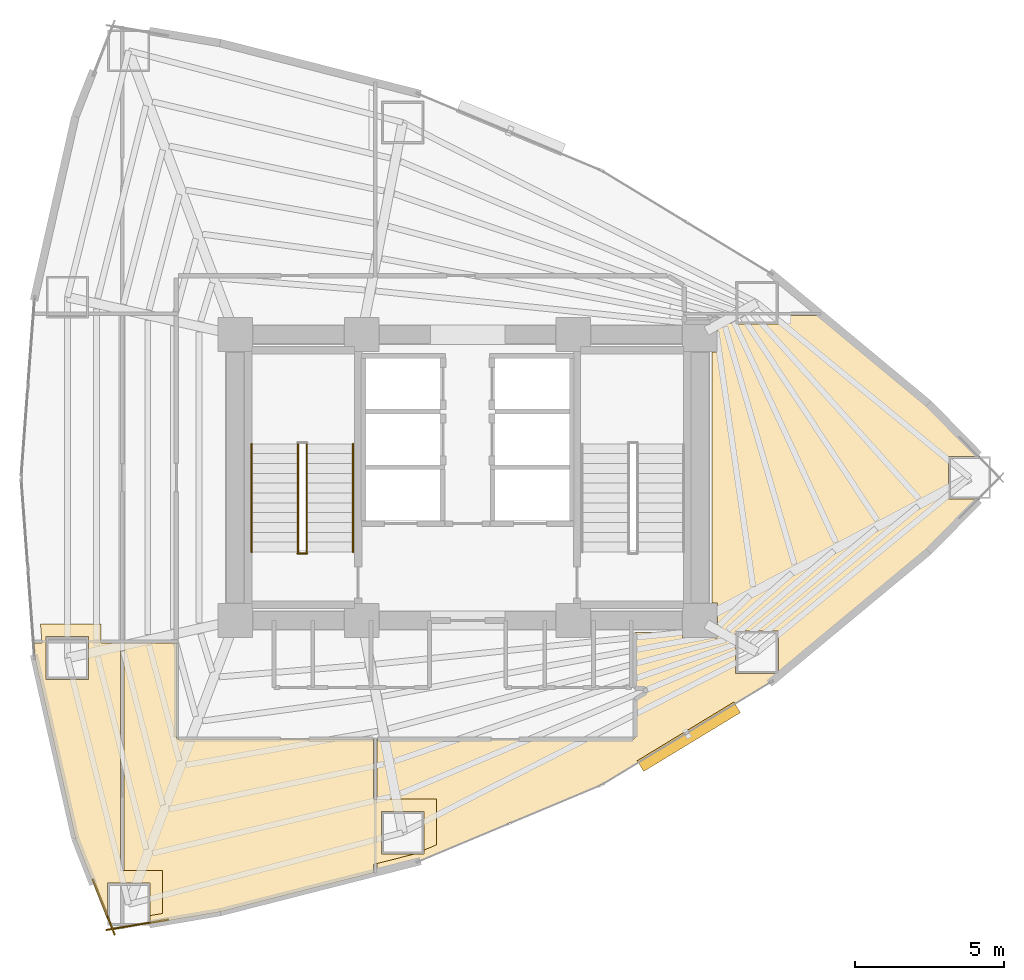
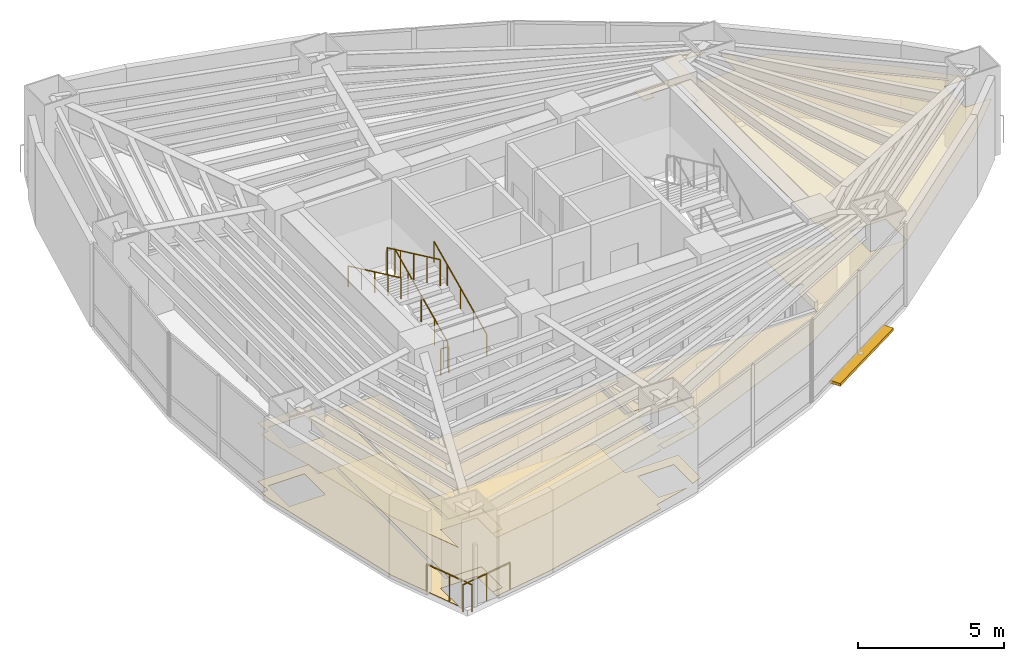
# One storey, part 16 of 17: 7 railings, 5 coverings, 1 shading device.
"""IFC4 building model written with IfcOpenShell, lengths in metres."""

from ifc_helpers import new_model, si_unit, direction, frame, origin, origin_2d, place, context, subcontext, project, spatial, polyline, rectangle, circle, outline, extrude, material, layer, layer_set, type_object, element, save


model = new_model("IFC4")

# Units and contexts
model_context = context("Model", 3, precision=1e-05, world=origin(), true_north=direction((0.0, 1.0)))
body_context = subcontext(model_context, "Body", "Model", "MODEL_VIEW")
ifc_project = project(units=[si_unit("LENGTHUNIT", "METRE"), si_unit("AREAUNIT", "SQUARE_METRE"), si_unit("VOLUMEUNIT", "CUBIC_METRE"), si_unit("PLANEANGLEUNIT", "RADIAN"), si_unit("MASSUNIT", "GRAM", prefix="KILO")], contexts=[model_context])

# Site, building, storey
site_placement = place(None, origin())
site = spatial("IfcSite", under=ifc_project, at=site_placement, CompositionType="ELEMENT")
building_placement = place(site_placement, origin())
building = spatial("IfcBuilding", under=site, at=building_placement, Name="Menara Vayukalpa", CompositionType="ELEMENT")
storey_placement = place(building_placement, frame((0.0, 0.0, 38.760009765625)))
storey = spatial("IfcBuildingStorey", under=building, at=storey_placement, Name="L08", CompositionType="ELEMENT", Elevation=38.760009765625)

# Coverings
ifc_material_1 = material(Name="Mineral Fibre Acoustic Ceiling Tile", Category="masonry")
ifc_layer_1 = layer(ifc_material_1, 0.02490234375)
ifc_layer_set_1 = layer_set([ifc_layer_1], Name="Mineral Fibre Acoustic Ceiling Tile")
covering_type_1 = type_object("IfcCoveringType", Name="COV-CLG1", PredefinedType="CEILING", material=ifc_layer_set_1)
covering_1_placement = place(storey_placement, frame((0.0, 0.0, 2.449951171875)))
element("IfcCovering", 1, at=covering_1_placement, inside=storey, type_object=covering_type_1, Name="L08 Executive Boardroom Acoustic Ceiling", PredefinedType="CEILING", context=body_context, shape_type="SweptSolid", body=[
    extrude(outline(polyline([(14.9326171875, 7.2900390625), (14.9326171875, 8.380615234375), (13.502685546875, 8.380615234375), (13.502685546875, 7.1708984375), (12.4375, 9.883056640625), (12.437255859375, 9.8837890625), (12.43701171875, 9.884521484375), (11.07421875, 15.941162109375), (11.073974609375, 15.942626953125), (11.03759765625, 16.42919921875), (11.03759765625, 16.43017578125), (11.03759765625, 16.43115234375), (11.03759765625, 16.43212890625), (11.0380859375, 16.43310546875), (11.038330078125, 16.43408203125), (11.038818359375, 16.434814453125), (11.039306640625, 16.435791015625), (11.039794921875, 16.436279296875), (11.04052734375, 16.43701171875), (11.041259765625, 16.437744140625), (11.0419921875, 16.4384765625), (11.042724609375, 16.43896484375), (11.043701171875, 16.439208984375), (11.044677734375, 16.439697265625), (11.045654296875, 16.439697265625), (11.04638671875, 16.43994140625), (11.047607421875, 16.43994140625), (11.3076171875, 16.43994140625), (11.260009765625, 17.075439453125), (13.29931640625, 17.075439453125), (13.29931640625, 16.43994140625), (13.929931640625, 16.43994140625), (13.930908203125, 16.43994140625), (13.931884765625, 16.439697265625), (13.932861328125, 16.439697265625), (13.933837890625, 16.439208984375), (13.934814453125, 16.438720703125), (13.935546875, 16.438232421875), (13.936279296875, 16.437744140625), (13.93701171875, 16.43701171875), (13.937744140625, 16.436279296875), (13.938232421875, 16.435546875), (13.938720703125, 16.434814453125), (13.939208984375, 16.433837890625), (13.939697265625, 16.432861328125), (13.939697265625, 16.431884765625), (13.93994140625, 16.430908203125), (13.93994140625, 16.429931640625), (13.93994140625, 8.800537109375), (15.3525390625, 8.800537109375), (15.3525390625, 7.361328125), (14.9326171875, 7.2900390625)]), holes=[polyline([(12.879150390625, 16.655517578125), (11.44921875, 16.655517578125), (11.44921875, 15.225341796875), (12.879150390625, 15.225341796875), (12.879150390625, 16.655517578125)])]), origin(), (0.0, 0.0, 1.0), 0.025146484375),
])
covering_2_placement = place(storey_placement, frame((0.0, 0.0, 2.449951171875)))
element("IfcCovering", 2, at=covering_2_placement, inside=storey, type_object=covering_type_1, Name="L08 Executive Boardroom Acoustic Ceiling", PredefinedType="CEILING", context=body_context, shape_type="SweptSolid", body=[
    extrude(outline(polyline([(13.152587890625, 8.800537109375), (14.06005859375, 8.800537109375), (14.06005859375, 16.429931640625), (14.06005859375, 16.430908203125), (14.060302734375, 16.431884765625), (14.060302734375, 16.432861328125), (14.060791015625, 16.433837890625), (14.061279296875, 16.434814453125), (14.061767578125, 16.435546875), (14.062255859375, 16.436279296875), (14.06298828125, 16.43701171875), (14.063720703125, 16.437744140625), (14.064453125, 16.438232421875), (14.065185546875, 16.438720703125), (14.066162109375, 16.439208984375), (14.067138671875, 16.439697265625), (14.068115234375, 16.439697265625), (14.069091796875, 16.43994140625), (14.070068359375, 16.43994140625), (15.820068359375, 16.43994140625), (15.821044921875, 16.43994140625), (15.822021484375, 16.439697265625), (15.822998046875, 16.439697265625), (15.82373046875, 16.439208984375), (15.82470703125, 16.438720703125), (15.82568359375, 16.438232421875), (15.826416015625, 16.437744140625), (15.8271484375, 16.43701171875), (15.82763671875, 16.436279296875), (15.828369140625, 16.435546875), (15.828857421875, 16.434814453125), (15.8291015625, 16.433837890625), (15.82958984375, 16.432861328125), (15.829833984375, 16.431884765625), (15.830078125, 16.430908203125), (15.830078125, 16.429931640625), (15.830078125, 13.290283203125), (15.830322265625, 13.283203125), (15.831298828125, 13.2763671875), (15.8330078125, 13.269775390625), (15.835205078125, 13.26318359375), (15.838134765625, 13.257080078125), (15.841796875, 13.251220703125), (15.845947265625, 13.24560546875), (15.8505859375, 13.240478515625), (15.85546875, 13.236083984375), (15.861083984375, 13.231689453125), (15.866943359375, 13.228271484375), (15.873291015625, 13.225341796875), (15.879638671875, 13.222900390625), (15.88623046875, 13.22119140625), (15.893310546875, 13.220458984375), (15.900390625, 13.219970703125), (22.429931640625, 13.219970703125), (22.430908203125, 13.219970703125), (22.431884765625, 13.2197265625), (22.432861328125, 13.219482421875), (22.433837890625, 13.21923828125), (22.434814453125, 13.21875), (22.435546875, 13.21826171875), (22.436279296875, 13.2177734375), (22.43701171875, 13.217041015625), (22.437744140625, 13.21630859375), (22.438232421875, 13.215576171875), (22.438720703125, 13.214599609375), (22.439208984375, 13.2138671875), (22.439697265625, 13.212890625), (22.439697265625, 13.2119140625), (22.43994140625, 13.2109375), (22.43994140625, 13.2099609375), (22.43994140625, 11.212158203125), (24.554443359375, 11.212158203125), (24.554443359375, 9.66650390625), (24.134521484375, 9.49072265625), (24.134521484375, 10.792236328125), (22.704345703125, 10.792236328125), (22.704345703125, 9.3623046875), (23.825439453125, 9.3623046875), (22.43994140625, 9.0087890625), (22.43994140625, 8.738037109375), (22.43994140625, 8.737060546875), (22.439697265625, 8.736083984375), (22.439453125, 8.735107421875), (22.439208984375, 8.73388671875), (22.438720703125, 8.733154296875), (22.438232421875, 8.732421875), (22.4375, 8.7314453125), (22.43701171875, 8.730712890625), (22.43603515625, 8.72998046875), (22.435302734375, 8.7294921875), (22.434326171875, 8.72900390625), (22.433349609375, 8.728515625), (22.4326171875, 8.728271484375), (17.285888671875, 7.415771484375), (17.28515625, 7.41552734375), (14.9326171875, 7.01611328125), (14.9326171875, 8.380615234375), (13.502685546875, 8.380615234375), (13.502685546875, 7.90966796875), (13.152587890625, 8.800537109375)])), origin(), (0.0, 0.0, 1.0), 0.025146484375),
])
covering_3_placement = place(storey_placement, frame((0.0, 0.0, 2.449951171875)))
element("IfcCovering", 3, at=covering_3_placement, inside=storey, type_object=covering_type_1, Name="L08 Executive Boardroom Acoustic Ceiling", PredefinedType="CEILING", context=body_context, shape_type="SweptSolid", body=[
    extrude(outline(polyline([(22.284423828125, 11.212158203125), (22.56005859375, 11.212158203125), (22.56005859375, 13.2099609375), (22.56005859375, 13.2109375), (22.560302734375, 13.2119140625), (22.560302734375, 13.212890625), (22.560791015625, 13.2138671875), (22.561279296875, 13.214599609375), (22.561767578125, 13.215576171875), (22.562255859375, 13.21630859375), (22.56298828125, 13.217041015625), (22.563720703125, 13.2177734375), (22.564453125, 13.21826171875), (22.565185546875, 13.21875), (22.566162109375, 13.21923828125), (22.567138671875, 13.219482421875), (22.568115234375, 13.2197265625), (22.569091796875, 13.219970703125), (22.570068359375, 13.219970703125), (31.149658203125, 13.219970703125), (31.15673828125, 13.220458984375), (31.163818359375, 13.22119140625), (31.17041015625, 13.222900390625), (31.1767578125, 13.225341796875), (31.18310546875, 13.228271484375), (31.188720703125, 13.231689453125), (31.194580078125, 13.236083984375), (31.199462890625, 13.240478515625), (31.2041015625, 13.24560546875), (31.208251953125, 13.251220703125), (31.2119140625, 13.257080078125), (31.214599609375, 13.26318359375), (31.217041015625, 13.269775390625), (31.21875, 13.2763671875), (31.219482421875, 13.283203125), (31.219970703125, 13.290283203125), (31.219970703125, 14.55810546875), (31.22021484375, 14.55908203125), (31.22021484375, 14.56005859375), (31.220458984375, 14.56103515625), (31.220703125, 14.56201171875), (31.22119140625, 14.56298828125), (31.2216796875, 14.563720703125), (31.222412109375, 14.564697265625), (31.22314453125, 14.565185546875), (31.22412109375, 14.56591796875), (31.224853515625, 14.56640625), (31.5927734375, 14.7900390625), (31.5986328125, 14.794189453125), (31.60400390625, 14.798583984375), (31.60888671875, 14.803466796875), (31.61328125, 14.80908203125), (31.6171875, 14.81494140625), (31.620361328125, 14.821044921875), (31.622802734375, 14.82763671875), (31.624755859375, 14.83447265625), (31.626220703125, 14.84130859375), (31.626708984375, 14.84814453125), (31.62646484375, 14.85498046875), (31.62548828125, 14.862060546875), (31.6240234375, 14.868896484375), (31.621826171875, 14.87548828125), (31.618896484375, 14.8818359375), (31.615478515625, 14.887939453125), (31.611328125, 14.8935546875), (31.606689453125, 14.898681640625), (31.6015625, 14.903564453125), (31.59619140625, 14.90771484375), (31.590087890625, 14.911376953125), (31.583740234375, 14.91455078125), (31.5771484375, 14.916748046875), (31.570556640625, 14.918701171875), (31.563720703125, 14.919677734375), (31.556396484375, 14.919921875), (31.219970703125, 14.919921875), (31.218994140625, 14.919921875), (31.218017578125, 14.920166015625), (31.217041015625, 14.92041015625), (31.21630859375, 14.9208984375), (31.21533203125, 14.921142578125), (31.21435546875, 14.921630859375), (31.213623046875, 14.92236328125), (31.212890625, 14.9228515625), (31.21240234375, 14.923583984375), (31.211669921875, 14.92431640625), (31.211181640625, 14.92529296875), (31.210693359375, 14.92626953125), (31.21044921875, 14.927001953125), (31.210205078125, 14.927978515625), (31.2099609375, 14.928955078125), (31.2099609375, 14.929931640625), (31.2099609375, 16.780029296875), (31.2099609375, 16.781005859375), (31.210205078125, 16.781982421875), (31.21044921875, 16.782958984375), (31.210693359375, 16.78369140625), (31.211181640625, 16.78466796875), (31.211669921875, 16.78564453125), (31.21240234375, 16.786376953125), (31.212890625, 16.787109375), (31.213623046875, 16.78759765625), (31.21435546875, 16.788330078125), (31.21533203125, 16.788818359375), (31.21630859375, 16.789306640625), (31.217041015625, 16.78955078125), (31.218017578125, 16.789794921875), (31.218994140625, 16.7900390625), (31.219970703125, 16.7900390625), (32.389892578125, 16.7900390625), (32.389892578125, 16.85009765625), (32.81005859375, 16.85009765625), (32.81005859375, 16.610107421875), (33.989990234375, 16.610107421875), (33.989990234375, 17.7900390625), (33.81005859375, 17.7900390625), (33.81005859375, 26.2099609375), (33.989990234375, 26.2099609375), (33.989990234375, 27.389892578125), (32.81005859375, 27.389892578125), (32.81005859375, 27.14990234375), (32.389892578125, 27.14990234375), (32.389892578125, 27.81005859375), (34.18310546875, 27.81005859375), (34.18310546875, 28.998291015625), (35.023193359375, 28.998291015625), (35.654296875, 28.61474609375), (35.698486328125, 28.578125), (34.60302734375, 28.578125), (34.60302734375, 27.148193359375), (36.032958984375, 27.148193359375), (36.032958984375, 28.30078125), (36.452880859375, 27.952392578125), (36.452880859375, 27.43994140625), (37.45263671875, 27.43994140625), (37.458740234375, 27.440185546875), (37.46435546875, 27.441162109375), (37.47021484375, 27.442626953125), (37.475830078125, 27.444580078125), (37.47802734375, 27.445556640625), (37.478759765625, 27.446044921875), (37.479736328125, 27.4462890625), (37.480712890625, 27.446533203125), (37.481689453125, 27.446533203125), (37.482666015625, 27.446533203125), (37.4833984375, 27.446533203125), (37.484619140625, 27.4462890625), (37.4853515625, 27.446044921875), (37.486328125, 27.44580078125), (37.487060546875, 27.4453125), (37.48779296875, 27.44482421875), (37.48876953125, 27.4443359375), (41.07763671875, 24.468017578125), (41.078369140625, 24.46728515625), (42.798828125, 22.715087890625), (41.749755859375, 22.715087890625), (41.749755859375, 21.284912109375), (42.798828125, 21.284912109375), (41.078369140625, 19.53271484375), (41.07763671875, 19.531982421875), (35.81201171875, 15.165283203125), (35.810791015625, 15.164306640625), (30.09130859375, 11.68994140625), (30.090576171875, 11.689697265625), (30.08984375, 11.689208984375), (23.916015625, 9.106689453125), (23.914794921875, 9.106201171875), (22.572509765625, 8.763916015625), (22.571533203125, 8.763916015625), (22.570556640625, 8.763671875), (22.569580078125, 8.763671875), (22.568603515625, 8.763916015625), (22.567626953125, 8.763916015625), (22.56689453125, 8.76416015625), (22.56591796875, 8.7646484375), (22.565185546875, 8.764892578125), (22.564208984375, 8.765380859375), (22.5634765625, 8.76611328125), (22.562744140625, 8.766845703125), (22.562255859375, 8.767578125), (22.5615234375, 8.768310546875), (22.56103515625, 8.76904296875), (22.560791015625, 8.77001953125), (22.560302734375, 8.77099609375), (22.560302734375, 8.771728515625), (22.56005859375, 8.772705078125), (22.56005859375, 8.773681640625), (22.56005859375, 9.03955078125), (22.284423828125, 8.96923828125), (22.284423828125, 11.212158203125)]), holes=[polyline([(24.134521484375, 10.792236328125), (22.704345703125, 10.792236328125), (22.704345703125, 9.3623046875), (24.134521484375, 9.3623046875), (24.134521484375, 10.792236328125)]), polyline([(36.032958984375, 16.851806640625), (34.60302734375, 16.851806640625), (34.60302734375, 15.421875), (36.032958984375, 15.421875), (36.032958984375, 16.851806640625)])]), origin(), (0.0, 0.0, 1.0), 0.025146484375),
])
ifc_material_2 = material(Name="Porcelain Stoneware Floor Tile", Category="masonry")
ifc_layer_2 = layer(ifc_material_2, 0.02001953125)
ifc_layer_set_2 = layer_set([ifc_layer_2], Name="Porcelain Stoneware Floor Tile")
covering_type_2 = type_object("IfcCoveringType", Name="COV-FLR1", PredefinedType="FLOORING", material=ifc_layer_set_2)
covering_4_placement = place(storey_placement, origin())
element("IfcCovering", 4, at=covering_4_placement, inside=storey, type_object=covering_type_2, Name="L08 Executive Boardroom Porcelain Flooring", PredefinedType="FLOORING", context=body_context, shape_type="SweptSolid", body=[
    extrude(outline(polyline([(14.9326171875, 7.2900390625), (14.9326171875, 8.380615234375), (13.502685546875, 8.380615234375), (13.502685546875, 7.1708984375), (12.4375, 9.883056640625), (12.437255859375, 9.8837890625), (12.43701171875, 9.884521484375), (11.07421875, 15.941162109375), (11.073974609375, 15.942626953125), (11.03759765625, 16.42919921875), (11.03759765625, 16.43017578125), (11.03759765625, 16.43115234375), (11.03759765625, 16.43212890625), (11.0380859375, 16.43310546875), (11.038330078125, 16.43408203125), (11.038818359375, 16.434814453125), (11.039306640625, 16.435791015625), (11.039794921875, 16.436279296875), (11.04052734375, 16.43701171875), (11.041259765625, 16.437744140625), (11.0419921875, 16.4384765625), (11.042724609375, 16.43896484375), (11.043701171875, 16.439208984375), (11.044677734375, 16.439697265625), (11.045654296875, 16.439697265625), (11.04638671875, 16.43994140625), (11.047607421875, 16.43994140625), (11.3076171875, 16.43994140625), (11.260009765625, 17.075439453125), (13.29931640625, 17.075439453125), (13.29931640625, 16.43994140625), (13.929931640625, 16.43994140625), (13.930908203125, 16.43994140625), (13.931884765625, 16.439697265625), (13.932861328125, 16.439697265625), (13.933837890625, 16.439208984375), (13.934814453125, 16.438720703125), (13.935546875, 16.438232421875), (13.936279296875, 16.437744140625), (13.93701171875, 16.43701171875), (13.937744140625, 16.436279296875), (13.938232421875, 16.435546875), (13.938720703125, 16.434814453125), (13.939208984375, 16.433837890625), (13.939697265625, 16.432861328125), (13.939697265625, 16.431884765625), (13.93994140625, 16.430908203125), (13.93994140625, 16.429931640625), (13.93994140625, 8.800537109375), (15.3525390625, 8.800537109375), (15.3525390625, 7.361328125), (14.9326171875, 7.2900390625)]), holes=[polyline([(12.879150390625, 16.655517578125), (11.44921875, 16.655517578125), (11.44921875, 15.225341796875), (12.879150390625, 15.225341796875), (12.879150390625, 16.655517578125)])]), origin(), (0.0, 0.0, 1.0), 0.02001953125),
])
covering_5_placement = place(storey_placement, origin())
element("IfcCovering", 5, at=covering_5_placement, inside=storey, type_object=covering_type_2, Name="L08 Executive Boardroom Porcelain Flooring", PredefinedType="FLOORING", context=body_context, shape_type="SweptSolid", body=[
    extrude(outline(polyline([(13.152587890625, 8.800537109375), (14.06005859375, 8.800537109375), (14.06005859375, 16.429931640625), (14.06005859375, 16.430908203125), (14.060302734375, 16.431884765625), (14.060302734375, 16.432861328125), (14.060791015625, 16.433837890625), (14.061279296875, 16.434814453125), (14.061767578125, 16.435546875), (14.062255859375, 16.436279296875), (14.06298828125, 16.43701171875), (14.063720703125, 16.437744140625), (14.064453125, 16.438232421875), (14.065185546875, 16.438720703125), (14.066162109375, 16.439208984375), (14.067138671875, 16.439697265625), (14.068115234375, 16.439697265625), (14.069091796875, 16.43994140625), (14.070068359375, 16.43994140625), (15.820068359375, 16.43994140625), (15.821044921875, 16.43994140625), (15.822021484375, 16.439697265625), (15.822998046875, 16.439697265625), (15.82373046875, 16.439208984375), (15.82470703125, 16.438720703125), (15.82568359375, 16.438232421875), (15.826416015625, 16.437744140625), (15.8271484375, 16.43701171875), (15.82763671875, 16.436279296875), (15.828369140625, 16.435546875), (15.828857421875, 16.434814453125), (15.8291015625, 16.433837890625), (15.82958984375, 16.432861328125), (15.829833984375, 16.431884765625), (15.830078125, 16.430908203125), (15.830078125, 16.429931640625), (15.830078125, 13.290283203125), (15.830322265625, 13.283203125), (15.831298828125, 13.2763671875), (15.8330078125, 13.269775390625), (15.835205078125, 13.26318359375), (15.838134765625, 13.257080078125), (15.841796875, 13.251220703125), (15.845947265625, 13.24560546875), (15.8505859375, 13.240478515625), (15.85546875, 13.236083984375), (15.861083984375, 13.231689453125), (15.866943359375, 13.228271484375), (15.873291015625, 13.225341796875), (15.879638671875, 13.222900390625), (15.88623046875, 13.22119140625), (15.893310546875, 13.220458984375), (15.900390625, 13.219970703125), (22.429931640625, 13.219970703125), (22.430908203125, 13.219970703125), (22.431884765625, 13.2197265625), (22.432861328125, 13.219482421875), (22.433837890625, 13.21923828125), (22.434814453125, 13.21875), (22.435546875, 13.21826171875), (22.436279296875, 13.2177734375), (22.43701171875, 13.217041015625), (22.437744140625, 13.21630859375), (22.438232421875, 13.215576171875), (22.438720703125, 13.214599609375), (22.439208984375, 13.2138671875), (22.439697265625, 13.212890625), (22.439697265625, 13.2119140625), (22.43994140625, 13.2109375), (22.43994140625, 13.2099609375), (22.43994140625, 11.212158203125), (24.554443359375, 11.212158203125), (24.554443359375, 9.66650390625), (24.134521484375, 9.49072265625), (24.134521484375, 10.792236328125), (22.704345703125, 10.792236328125), (22.704345703125, 9.3623046875), (23.825439453125, 9.3623046875), (22.43994140625, 9.0087890625), (22.43994140625, 8.738037109375), (22.43994140625, 8.737060546875), (22.439697265625, 8.736083984375), (22.439453125, 8.735107421875), (22.439208984375, 8.73388671875), (22.438720703125, 8.733154296875), (22.438232421875, 8.732421875), (22.4375, 8.7314453125), (22.43701171875, 8.730712890625), (22.43603515625, 8.72998046875), (22.435302734375, 8.7294921875), (22.434326171875, 8.72900390625), (22.433349609375, 8.728515625), (22.4326171875, 8.728271484375), (17.285888671875, 7.415771484375), (17.28515625, 7.41552734375), (14.9326171875, 7.01611328125), (14.9326171875, 8.380615234375), (13.502685546875, 8.380615234375), (13.502685546875, 7.90966796875), (13.152587890625, 8.800537109375)])), origin(), (0.0, 0.0, 1.0), 0.02001953125),
])

# Railings
ifc_material_3 = material(Name="Laminated Glass and Stainless Steel 316 Guardrail", Category="steel")
railing_type_1 = type_object("IfcRailingType", Name="RLG-EXT115", PredefinedType="GUARDRAIL", material=ifc_material_3)
railing_1_placement = place(storey_placement, frame((13.02099609375, 8.50634765625, 0.0)))
element("IfcRailing", 6, at=railing_1_placement, inside=storey, type_object=railing_type_1, Name="L08 Column Corner Spandrel Guardrail 13-1", PredefinedType="GUARDRAIL", context=body_context, shape_type="SweptSolid", body=[
    extrude(circle(Radius=0.02392578125, at=origin_2d()), frame((0.0, 0.0, 1.1259765625), z_axis=(0.365580158762, -0.930779859859, 0.0), x_axis=(0.930779859859, 0.365580158762, 0.0)), (0.0, 0.0, 1.0), 1.9873046875),
    extrude(circle(Radius=0.02099609375, at=origin_2d()), origin(), (0.0, 0.0, 1.0), 1.101806640625),
    extrude(circle(Radius=0.02099609375, at=origin_2d()), frame((0.36328125, -0.9248046875, 0.0)), (0.0, 0.0, 1.0), 1.101806640625),
    extrude(circle(Radius=0.02099609375, at=origin_2d()), frame((0.7265625, -1.849853515625, 0.0)), (0.0, 0.0, 1.0), 1.101806640625),
])
railing_2_placement = place(storey_placement, frame((13.4765625, 6.8095703125, 0.0)))
element("IfcRailing", 7, at=railing_2_placement, inside=storey, type_object=railing_type_1, Name="L08 Column Corner Spandrel Guardrail 14-1", PredefinedType="GUARDRAIL", context=body_context, shape_type="SweptSolid", body=[
    extrude(circle(Radius=0.02392578125, at=origin_2d()), frame((0.0, 0.0, 1.1259765625), z_axis=(0.985904350491, 0.167309927029, 0.0), x_axis=(-0.167309927029, 0.985904350491, 0.0)), (0.0, 0.0, 1.0), 2.093994140625),
    extrude(circle(Radius=0.02099609375, at=origin_2d()), origin(), (0.0, 0.0, 1.0), 1.101806640625),
    extrude(circle(Radius=0.02099609375, at=origin_2d()), frame((1.0322265625, 0.17529296875, 0.0)), (0.0, 0.0, 1.0), 1.101806640625),
    extrude(circle(Radius=0.02099609375, at=origin_2d()), frame((2.064453125, 0.350341796875, 0.0)), (0.0, 0.0, 1.0), 1.101806640625),
])
ifc_material_4 = material(Name="Powder-Coated Galvanised Steel Guardrail", Category="steel")
railing_type_2 = type_object("IfcRailingType", Name="RLG-STG110", PredefinedType="GUARDRAIL", material=ifc_material_4)
railing_3_placement = place(storey_placement, frame((20.199951171875, 19.5, 0.155029296875)))
element("IfcRailing", 8, at=railing_3_placement, inside=storey, type_object=railing_type_2, Name="L08 ST-1 stair guard 1", PredefinedType="GUARDRAIL", context=body_context, shape_type="SweptSolid", body=[
    extrude(circle(Radius=0.02392578125, at=origin_2d()), frame((0.0, 0.0, 1.09619140625), z_axis=(0.0, 0.90511648382, 0.425163675209), x_axis=(-1.0, 0.0, 0.0)), (0.0, 0.0, 1.0), 4.010498046875),
    extrude(circle(Radius=0.02099609375, at=origin_2d()), origin(), (0.0, 0.0, 1.0), 1.072021484375),
    extrude(circle(Radius=0.02099609375, at=origin_2d()), frame((0.0, 0.907470703125, 0.42626953125)), (0.0, 0.0, 1.0), 1.072021484375),
    extrude(circle(Radius=0.02099609375, at=origin_2d()), frame((0.0, 1.81494140625, 0.8525390625)), (0.0, 0.0, 1.0), 1.072021484375),
    extrude(circle(Radius=0.02099609375, at=origin_2d()), frame((0.0, 2.722412109375, 1.27880859375)), (0.0, 0.0, 1.0), 1.072021484375),
    extrude(circle(Radius=0.02099609375, at=origin_2d()), frame((0.0, 3.6298828125, 1.705078125)), (0.0, 0.0, 1.0), 1.072021484375),
])
railing_4_placement = place(storey_placement, frame((19.89990234375, 23.1298828125, 2.014892578125)))
element("IfcRailing", 9, at=railing_4_placement, inside=storey, type_object=railing_type_2, Name="L08 ST-1 stair guard 3", PredefinedType="GUARDRAIL", context=body_context, shape_type="SweptSolid", body=[
    extrude(circle(Radius=0.02392578125, at=origin_2d()), frame((0.0, 0.0, 1.09619140625), z_axis=(0.0, -0.90511648382, 0.425163675209), x_axis=(1.0, 0.0, 0.0)), (0.0, 0.0, 1.0), 4.010498046875),
    extrude(circle(Radius=0.02099609375, at=origin_2d()), origin(), (0.0, 0.0, 1.0), 1.072021484375),
    extrude(circle(Radius=0.02099609375, at=origin_2d()), frame((0.0, -0.907470703125, 0.42626953125)), (0.0, 0.0, 1.0), 1.072021484375),
    extrude(circle(Radius=0.02099609375, at=origin_2d()), frame((0.0, -1.81494140625, 0.8525390625)), (0.0, 0.0, 1.0), 1.072021484375),
    extrude(circle(Radius=0.02099609375, at=origin_2d()), frame((0.0, -2.722412109375, 1.27880859375)), (0.0, 0.0, 1.0), 1.072021484375),
    extrude(circle(Radius=0.02099609375, at=origin_2d()), frame((0.0, -3.6298828125, 1.705078125)), (0.0, 0.0, 1.0), 1.072021484375),
])
railing_5_placement = place(storey_placement, frame((20.2099609375, 19.449951171875, 0.0)))
element("IfcRailing", 10, at=railing_5_placement, inside=storey, type_object=railing_type_2, Name="L08 ST-1 stair guard 4", PredefinedType="GUARDRAIL", context=body_context, shape_type="SweptSolid", body=[
    extrude(circle(Radius=0.02392578125, at=origin_2d()), frame((0.0, 0.0, 1.09619140625), z_axis=(-1.0, 0.0, 0.0), x_axis=(0.0, -1.0, 0.0)), (0.0, 0.0, 1.0), 0.320068359375),
    extrude(circle(Radius=0.02099609375, at=origin_2d()), origin(), (0.0, 0.0, 1.0), 1.072021484375),
    extrude(circle(Radius=0.02099609375, at=origin_2d()), frame((-0.320068359375, 0.0, 0.0)), (0.0, 0.0, 1.0), 1.072021484375),
])
ifc_material_5 = material(Name="Stainless Steel 316 Tubular Handrail", Category="steel")
railing_type_3 = type_object("IfcRailingType", Name="RLG-STH090", PredefinedType="HANDRAIL", material=ifc_material_5)
railing_6_placement = place(storey_placement, frame((21.75, 19.5, 0.155029296875)))
element("IfcRailing", 11, at=railing_6_placement, inside=storey, type_object=railing_type_3, Name="L08 ST-1 stair handrail 1", PredefinedType="HANDRAIL", context=body_context, shape_type="SweptSolid", body=[
    extrude(circle(Radius=0.02392578125, at=origin_2d()), frame((0.0, 0.0, 0.8759765625), z_axis=(0.0, 0.90511648382, 0.425163675209), x_axis=(-1.0, 0.0, 0.0)), (0.0, 0.0, 1.0), 4.010498046875),
    extrude(circle(Radius=0.02099609375, at=origin_2d()), origin(), (0.0, 0.0, 1.0), 0.851806640625),
    extrude(circle(Radius=0.02099609375, at=origin_2d()), frame((0.0, 0.907470703125, 0.42626953125)), (0.0, 0.0, 1.0), 0.851806640625),
    extrude(circle(Radius=0.02099609375, at=origin_2d()), frame((0.0, 1.81494140625, 0.8525390625)), (0.0, 0.0, 1.0), 0.851806640625),
    extrude(circle(Radius=0.02099609375, at=origin_2d()), frame((0.0, 2.722412109375, 1.27880859375)), (0.0, 0.0, 1.0), 0.851806640625),
    extrude(circle(Radius=0.02099609375, at=origin_2d()), frame((0.0, 3.6298828125, 1.705078125)), (0.0, 0.0, 1.0), 0.851806640625),
])
railing_7_placement = place(storey_placement, frame((18.35009765625, 23.1298828125, 2.014892578125)))
element("IfcRailing", 12, at=railing_7_placement, inside=storey, type_object=railing_type_3, Name="L08 ST-1 stair handrail 2", PredefinedType="HANDRAIL", context=body_context, shape_type="SweptSolid", body=[
    extrude(circle(Radius=0.02392578125, at=origin_2d()), frame((0.0, 0.0, 0.8759765625), z_axis=(0.0, -0.90511648382, 0.425163675209), x_axis=(1.0, 0.0, 0.0)), (0.0, 0.0, 1.0), 4.010498046875),
    extrude(circle(Radius=0.02099609375, at=origin_2d()), origin(), (0.0, 0.0, 1.0), 0.851806640625),
    extrude(circle(Radius=0.02099609375, at=origin_2d()), frame((0.0, -0.907470703125, 0.42626953125)), (0.0, 0.0, 1.0), 0.851806640625),
    extrude(circle(Radius=0.02099609375, at=origin_2d()), frame((0.0, -1.81494140625, 0.8525390625)), (0.0, 0.0, 1.0), 0.851806640625),
    extrude(circle(Radius=0.02099609375, at=origin_2d()), frame((0.0, -2.722412109375, 1.27880859375)), (0.0, 0.0, 1.0), 0.851806640625),
    extrude(circle(Radius=0.02099609375, at=origin_2d()), frame((0.0, -3.6298828125, 1.705078125)), (0.0, 0.0, 1.0), 0.851806640625),
])

# Shading device
ifc_material_6 = material(Name="Glazed Terracotta Ceramic Baguette Extrusion", Category="masonry")
ifc_layer_3 = layer(ifc_material_6, 0.1201171875)
ifc_layer_set_3 = layer_set([ifc_layer_3], Name="Glazed Terracotta Ceramic Baguette Extrusion")
shading_device_type = type_object("IfcShadingDeviceType", Name="SHD-SS1", PredefinedType="USERDEFINED", material=ifc_layer_set_3)
shading_device_placement = place(storey_placement, frame((33.02880859375, 13.298828125, -0.10009765625), z_axis=(0.0, 0.0, 1.0), x_axis=(0.85466730962, 0.519176068272, 0.0)))
element("IfcShadingDevice", 13, at=shading_device_placement, inside=storey, type_object=shading_device_type, Name="L08 Horizontal Terracotta Sunshade Band 17", ObjectType="SUNSHADE", PredefinedType="USERDEFINED", context=body_context, shape_type="SweptSolid", body=[
    extrude(rectangle(XDim=3.800048828125, YDim=0.419921875, at=origin_2d()), origin(), (0.0, 0.0, 1.0), 0.1201171875),
])

save(model, "model.ifc")
